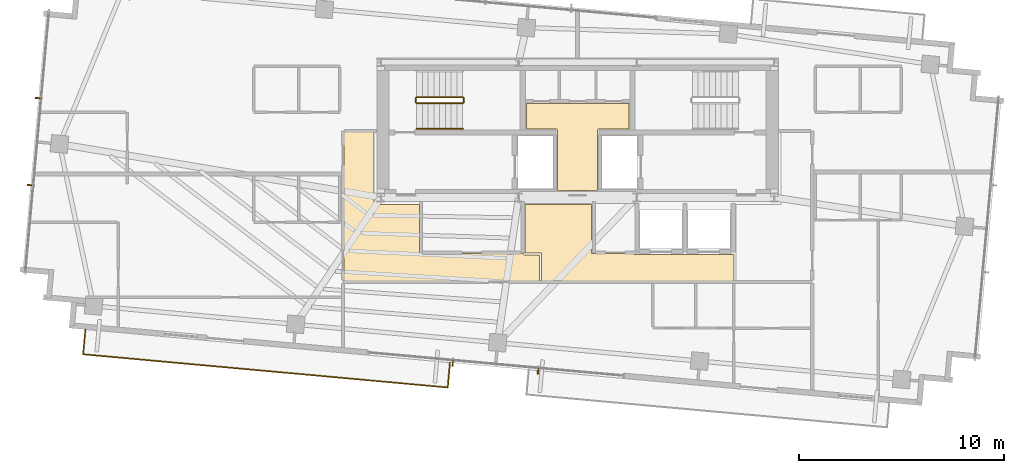
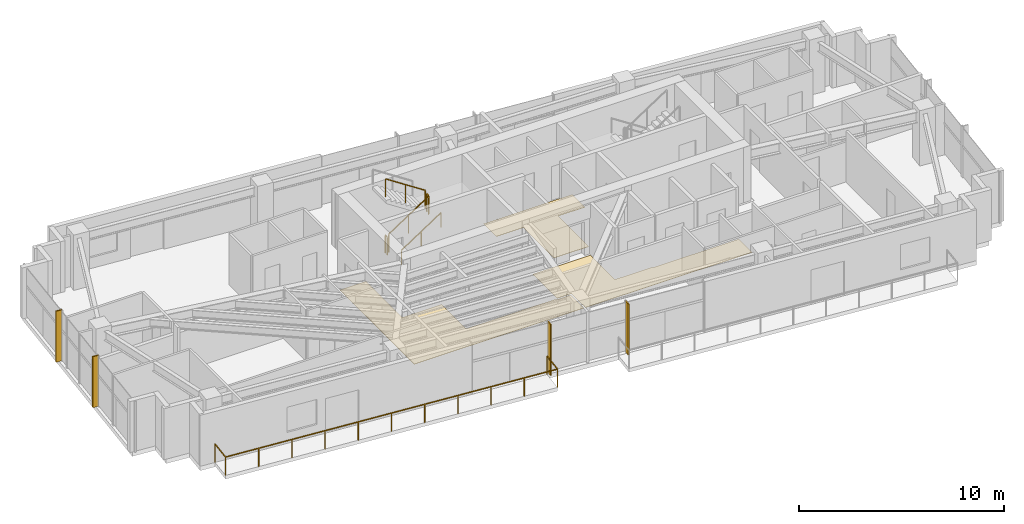
# One storey, part 20 of 22: 6 railings, 4 shading devices, 3 coverings.
"""IFC4 building model written with IfcOpenShell, lengths in metres."""

from ifc_helpers import new_model, si_unit, direction, frame, origin, origin_2d, place, context, subcontext, project, spatial, polyline, rectangle, outline, extrude, source, transform, mapped, material, layer, layer_set, type_object, type_shapes, element, save


model = new_model("IFC4")

# Units and contexts
model_context = context("Model", 3, precision=1e-05, world=origin(), true_north=direction((0.0, 1.0)))
body_context = subcontext(model_context, "Body", "Model", "MODEL_VIEW")
ifc_project = project(units=[si_unit("LENGTHUNIT", "METRE"), si_unit("AREAUNIT", "SQUARE_METRE"), si_unit("VOLUMEUNIT", "CUBIC_METRE"), si_unit("PLANEANGLEUNIT", "RADIAN"), si_unit("MASSUNIT", "GRAM", prefix="KILO")], contexts=[model_context])

# Site, building, storey
site_placement = place(None, origin())
site = spatial("IfcSite", under=ifc_project, at=site_placement, CompositionType="ELEMENT")
building_placement = place(site_placement, origin())
building = spatial("IfcBuilding", under=site, at=building_placement, Name="Astriad Promenade Condominiums", CompositionType="ELEMENT")
storey_placement = place(building_placement, frame((0.0, 0.0, 246.300048828125)))
storey = spatial("IfcBuildingStorey", under=building, at=storey_placement, Name="L71", CompositionType="ELEMENT", Elevation=246.300048828125)

# Coverings
ifc_material_1 = material(Name="Polished Lakefront Terrazzo Flooring")
ifc_layer = layer(ifc_material_1, 0.02001953125)
ifc_layer_set = layer_set([ifc_layer], Name="Polished Lakefront Terrazzo Flooring")
covering_type = type_object("IfcCoveringType", Name="COV-FLOR-TERRAZZO-20", PredefinedType="FLOORING", material=ifc_layer_set)
covering_1_placement = place(storey_placement, origin())
element("IfcCovering", 1, at=covering_1_placement, inside=storey, type_object=covering_type, Name="FLR-L71-CSL", PredefinedType="FLOORING", context=body_context, shape_type="SweptSolid", body=[
    extrude(outline(polyline([(36.97998046875, 20.699951171875), (36.97998046875, 17.739990234375), (35.02001953125, 17.739990234375), (35.02001953125, 20.699951171875), (35.019775390625, 20.703857421875), (35.019287109375, 20.707763671875), (35.018310546875, 20.711669921875), (35.01708984375, 20.71533203125), (35.015380859375, 20.718994140625), (35.01318359375, 20.72216796875), (35.010986328125, 20.725341796875), (35.00830078125, 20.728271484375), (35.00537109375, 20.73095703125), (35.002197265625, 20.7333984375), (34.998779296875, 20.7353515625), (34.995361328125, 20.737060546875), (34.99169921875, 20.73828125), (34.98779296875, 20.7392578125), (34.98388671875, 20.73974609375), (34.97998046875, 20.739990234375), (33.5, 20.739990234375), (33.5, 21.97998046875), (38.5, 21.97998046875), (38.5, 20.739990234375), (37.02001953125, 20.739990234375), (37.01611328125, 20.73974609375), (37.01220703125, 20.7392578125), (37.00830078125, 20.73828125), (37.004638671875, 20.737060546875), (37.001220703125, 20.7353515625), (36.997802734375, 20.7333984375), (36.99462890625, 20.73095703125), (36.99169921875, 20.728271484375), (36.989013671875, 20.725341796875), (36.98681640625, 20.72216796875), (36.984619140625, 20.718994140625), (36.98291015625, 20.71533203125), (36.981689453125, 20.711669921875), (36.980712890625, 20.707763671875), (36.980224609375, 20.703857421875), (36.97998046875, 20.699951171875)])), origin(), (0.0, 0.0, 1.0), 0.02001953125),
])
covering_2_placement = place(storey_placement, origin())
element("IfcCovering", 2, at=covering_2_placement, inside=storey, type_object=covering_type, Name="FLR-L71-LLB", PredefinedType="FLOORING", context=body_context, shape_type="SweptSolid", body=[
    extrude(outline(polyline([(43.639892578125, 14.610107421875), (43.639892578125, 13.320068359375), (34.239990234375, 13.320068359375), (34.239990234375, 14.64990234375), (34.23974609375, 14.65380859375), (34.2392578125, 14.65771484375), (34.23828125, 14.66162109375), (34.237060546875, 14.665283203125), (34.2353515625, 14.6689453125), (34.2333984375, 14.672119140625), (34.23095703125, 14.67529296875), (34.228271484375, 14.67822265625), (34.225341796875, 14.680908203125), (34.22216796875, 14.683349609375), (34.218994140625, 14.685302734375), (34.21533203125, 14.68701171875), (34.211669921875, 14.688232421875), (34.207763671875, 14.689208984375), (34.203857421875, 14.689697265625), (34.199951171875, 14.68994140625), (33.43994140625, 14.68994140625), (33.43994140625, 17.06005859375), (36.679931640625, 17.06005859375), (36.679931640625, 14.699951171875), (36.68017578125, 14.696044921875), (36.680908203125, 14.692138671875), (36.681640625, 14.6884765625), (36.68310546875, 14.684814453125), (36.684814453125, 14.68115234375), (36.686767578125, 14.677734375), (36.689208984375, 14.674560546875), (36.691650390625, 14.671630859375), (36.694580078125, 14.669189453125), (36.69775390625, 14.666748046875), (36.701171875, 14.664794921875), (36.70458984375, 14.6630859375), (36.70849609375, 14.66162109375), (36.712158203125, 14.660888671875), (36.716064453125, 14.66015625), (36.719970703125, 14.659912109375), (38.760009765625, 14.659912109375), (38.760009765625, 14.64990234375), (38.76025390625, 14.64599609375), (38.7607421875, 14.64208984375), (38.76171875, 14.638427734375), (38.762939453125, 14.634765625), (38.7646484375, 14.631103515625), (38.7666015625, 14.627685546875), (38.76904296875, 14.62451171875), (38.771728515625, 14.62158203125), (38.774658203125, 14.619140625), (38.77783203125, 14.61669921875), (38.781005859375, 14.61474609375), (38.78466796875, 14.613037109375), (38.788330078125, 14.61181640625), (38.792236328125, 14.61083984375), (38.796142578125, 14.610107421875), (38.800048828125, 14.610107421875), (43.639892578125, 14.610107421875)])), origin(), (0.0, 0.0, 1.0), 0.02001953125),
])
covering_3_placement = place(storey_placement, origin())
element("IfcCovering", 3, at=covering_3_placement, inside=storey, type_object=covering_type, Name="FLR-L71-COR-1", PredefinedType="FLOORING", context=body_context, shape_type="SweptSolid", body=[
    extrude(outline(polyline([(24.590087890625, 20.610107421875), (26.06005859375, 20.610107421875), (26.06005859375, 17.10009765625), (26.060302734375, 17.09619140625), (26.060791015625, 17.09228515625), (26.061767578125, 17.08837890625), (26.06298828125, 17.084716796875), (26.064697265625, 17.0810546875), (26.066650390625, 17.077880859375), (26.069091796875, 17.07470703125), (26.07177734375, 17.07177734375), (26.07470703125, 17.069091796875), (26.077880859375, 17.066650390625), (26.0810546875, 17.064697265625), (26.084716796875, 17.06298828125), (26.08837890625, 17.061767578125), (26.09228515625, 17.060791015625), (26.09619140625, 17.060302734375), (26.10009765625, 17.06005859375), (28.280029296875, 17.06005859375), (28.280029296875, 14.699951171875), (28.2802734375, 14.696044921875), (28.28076171875, 14.692138671875), (28.28173828125, 14.6884765625), (28.282958984375, 14.684814453125), (28.28466796875, 14.68115234375), (28.28662109375, 14.677734375), (28.2890625, 14.674560546875), (28.291748046875, 14.671630859375), (28.294677734375, 14.669189453125), (28.2978515625, 14.666748046875), (28.301025390625, 14.664794921875), (28.3046875, 14.6630859375), (28.308349609375, 14.66162109375), (28.312255859375, 14.660888671875), (28.316162109375, 14.66015625), (28.320068359375, 14.659912109375), (33.35009765625, 14.659912109375), (33.35009765625, 14.64892578125), (33.35009765625, 14.64501953125), (33.350830078125, 14.64111328125), (33.35107421875, 14.64013671875), (33.351318359375, 14.639404296875), (33.351318359375, 14.638427734375), (33.352294921875, 14.634521484375), (33.353759765625, 14.630859375), (33.3544921875, 14.629150390625), (33.356201171875, 14.6259765625), (33.356689453125, 14.625), (33.35888671875, 14.62158203125), (33.3603515625, 14.61962890625), (33.36083984375, 14.618896484375), (33.361083984375, 14.61865234375), (33.361328125, 14.618408203125), (33.361572265625, 14.617919921875), (33.36328125, 14.615966796875), (33.365966796875, 14.61328125), (33.367919921875, 14.611572265625), (33.368408203125, 14.611328125), (33.36865234375, 14.611083984375), (33.368896484375, 14.61083984375), (33.36962890625, 14.6103515625), (33.37158203125, 14.60888671875), (33.375, 14.606689453125), (33.3759765625, 14.606201171875), (33.379150390625, 14.6044921875), (33.3798828125, 14.604248046875), (33.380859375, 14.603759765625), (33.384521484375, 14.602294921875), (33.388427734375, 14.601318359375), (33.389404296875, 14.601318359375), (33.39013671875, 14.60107421875), (33.39111328125, 14.600830078125), (33.39501953125, 14.60009765625), (33.39892578125, 14.60009765625), (34.14990234375, 14.60009765625), (34.14990234375, 13.320068359375), (24.590087890625, 13.320068359375), (24.590087890625, 20.610107421875)])), origin(), (0.0, 0.0, 1.0), 0.02001953125),
])

# Shading devices
ifc_material_2 = material(Name="Anodised aluminium 6063-T6 Black Fin", Category="aluminium")
shading_device_type = type_object("IfcShadingDeviceType", Name="FIN-BLACK-260", PredefinedType="USERDEFINED", material=ifc_material_2)
shared_shape_1 = source(origin(), body_context, "Body", "SweptSolid", [
    extrude(rectangle(XDim=0.06494140625, YDim=0.320068359375, at=origin_2d()), origin(), (0.0, 0.0, 1.0), 3.0400390625),
])
type_shapes(shading_device_type, [shared_shape_1])
for number, where, z_axis, x_axis, name in (
    (4, (9.293212890625, 17.9970703125, 0.0), (0.0, 0.0, 1.0), (0.090632580198, 0.995884398616, 0.0), "CW-L71-W-FIN-01"),
    (5, (9.6796875, 22.246337890625, 0.0), (0.0, 0.0, 1.0), (0.090632580198, 0.995884398616, 0.0), "CW-L71-W-FIN-02"),
    (6, (34.073974609375, 8.937255859375, 0.0), (0.0, 0.0, 1.0), (-0.995884398616, 0.090632580198, 0.0), "CW-L71-S-FIN-01"),
    (7, (29.9111328125, 9.316162109375, 0.0), (0.0, 0.0, 1.0), (-0.995884398616, 0.090632580198, 0.0), "CW-L71-S-FIN-02"),
):
    element("IfcShadingDevice", number, at=place(storey_placement, frame(where, z_axis=z_axis, x_axis=x_axis)), inside=storey, type_object=shading_device_type, Name=name, ObjectType="FIN", PredefinedType="USERDEFINED", context=body_context, shape_type="MappedRepresentation", body=[
        mapped(shared_shape_1, transform((0.0, 0.0, 0.0), scale=1.0)),
    ])

# Railings
ifc_material_3 = material(Name="Laminated Glass and Stainless Steel Balustrade", Category="steel")
railing_type_1 = type_object("IfcRailingType", Name="GRD-BALC-1120", PredefinedType="BALUSTRADE", material=ifc_material_3)
shared_shape_2 = source(origin(), body_context, "Body", "SweptSolid", [
    extrude(rectangle(XDim=0.048095703125, YDim=0.048095703125, at=origin_2d()), frame((0.0, 0.0, 1.09619140625), z_axis=(-0.09066206129, -0.995881715186, 0.0), x_axis=(0.995881715186, -0.09066206129, 0.0)), (0.0, 0.0, 1.0), 1.219970703125),
    extrude(rectangle(XDim=0.048095703125, YDim=0.048095703125, at=origin_2d()), frame((-0.110595703125, -1.21484375, 1.09619140625), z_axis=(0.995884019767, -0.090636742948, 0.0), x_axis=(0.090636742948, 0.995884019767, 0.0)), (0.0, 0.0, 1.0), 17.8720703125),
    extrude(rectangle(XDim=0.048095703125, YDim=0.048095703125, at=origin_2d()), frame((17.68798828125, -2.834716796875, 1.09619140625), z_axis=(0.090463563939, 0.99589976584, 0.0), x_axis=(-0.99589976584, 0.090463563939, 0.0)), (0.0, 0.0, 1.0), 1.2197265625),
    extrude(rectangle(XDim=0.0419921875, YDim=0.0419921875, at=origin_2d()), origin(), (0.0, 0.0, 1.0), 1.072021484375),
    extrude(rectangle(XDim=0.0419921875, YDim=0.0419921875, at=origin_2d()), frame((-0.110595703125, -1.21484375, 0.0)), (0.0, 0.0, 1.0), 1.072021484375),
    extrude(rectangle(XDim=0.0419921875, YDim=0.0419921875, at=origin_2d()), frame((1.669189453125, -1.376953125, 0.0)), (0.0, 0.0, 1.0), 1.072021484375),
    extrude(rectangle(XDim=0.0419921875, YDim=0.0419921875, at=origin_2d()), frame((3.44921875, -1.538818359375, 0.0)), (0.0, 0.0, 1.0), 1.072021484375),
    extrude(rectangle(XDim=0.0419921875, YDim=0.0419921875, at=origin_2d()), frame((5.22900390625, -1.70068359375, 0.0)), (0.0, 0.0, 1.0), 1.072021484375),
    extrude(rectangle(XDim=0.0419921875, YDim=0.0419921875, at=origin_2d()), frame((7.0087890625, -1.86279296875, 0.0)), (0.0, 0.0, 1.0), 1.072021484375),
    extrude(rectangle(XDim=0.0419921875, YDim=0.0419921875, at=origin_2d()), frame((8.78857421875, -2.02490234375, 0.0)), (0.0, 0.0, 1.0), 1.072021484375),
    extrude(rectangle(XDim=0.0419921875, YDim=0.0419921875, at=origin_2d()), frame((10.568603515625, -2.186767578125, 0.0)), (0.0, 0.0, 1.0), 1.072021484375),
    extrude(rectangle(XDim=0.0419921875, YDim=0.0419921875, at=origin_2d()), frame((12.348388671875, -2.3486328125, 0.0)), (0.0, 0.0, 1.0), 1.072021484375),
    extrude(rectangle(XDim=0.0419921875, YDim=0.0419921875, at=origin_2d()), frame((14.128173828125, -2.5107421875, 0.0)), (0.0, 0.0, 1.0), 1.072021484375),
    extrude(rectangle(XDim=0.0419921875, YDim=0.0419921875, at=origin_2d()), frame((15.908203125, -2.6728515625, 0.0)), (0.0, 0.0, 1.0), 1.072021484375),
    extrude(rectangle(XDim=0.0419921875, YDim=0.0419921875, at=origin_2d()), frame((17.68798828125, -2.834716796875, 0.0)), (0.0, 0.0, 1.0), 1.072021484375),
    extrude(rectangle(XDim=0.0419921875, YDim=0.0419921875, at=origin_2d()), frame((17.79833984375, -1.619873046875, 0.0)), (0.0, 0.0, 1.0), 1.072021484375),
])
type_shapes(railing_type_1, [shared_shape_2])
railing_1_placement = place(storey_placement, frame((11.97705078125, 10.958251953125, 0.0)))
element("IfcRailing", 8, at=railing_1_placement, inside=storey, type_object=railing_type_1, Name="GRD-BALC-L71-SW", PredefinedType="BALUSTRADE", context=body_context, shape_type="MappedRepresentation", body=[
    mapped(shared_shape_2, transform((0.0, 0.0, 0.0), scale=1.0)),
])
ifc_material_4 = material(Name="Painted Galvanised Steel Guardrail", Category="steel")
railing_type_2 = type_object("IfcRailingType", Name="GRD-STAIR-1100", PredefinedType="GUARDRAIL", material=ifc_material_4)
shared_shape_3 = source(origin(), body_context, "Body", "SweptSolid", [
    extrude(rectangle(XDim=0.048095703125, YDim=0.048095703125, at=origin_2d()), frame((0.0, 0.0, 1.076171875), z_axis=(0.0, 1.0, 0.0), x_axis=(-1.0, 0.0, 0.0)), (0.0, 0.0, 1.0), 0.199951171875),
    extrude(rectangle(XDim=0.0419921875, YDim=0.0419921875, at=origin_2d()), origin(), (0.0, 0.0, 1.0), 1.052001953125),
    extrude(rectangle(XDim=0.0419921875, YDim=0.0419921875, at=origin_2d()), frame((0.0, 0.199951171875, 0.0)), (0.0, 0.0, 1.0), 1.052001953125),
])
for number, where, name in (
    (9, (30.43994140625, 22.050048828125, 1.64990234375), "L71 ST-1 stair guard 2"),
    (10, (28.10009765625, 22.050048828125, 0.0), "L71 ST-1 stair guard 4"),
):
    element("IfcRailing", number, at=place(storey_placement, frame(where)), inside=storey, type_object=railing_type_2, Name=name, PredefinedType="GUARDRAIL", context=body_context, shape_type="MappedRepresentation", body=[
        mapped(shared_shape_3, transform((0.0, 0.0, 0.0), scale=1.0)),
    ])
shared_shape_4 = source(origin(), body_context, "Body", "SweptSolid", [
    extrude(rectangle(XDim=0.048095703125, YDim=0.048095703125, at=origin_2d()), frame((0.0, 0.0, 1.076171875), z_axis=(0.836636935527, 0.0, 0.547757827979), x_axis=(0.0, 1.0, 0.0)), (0.0, 0.0, 1.0), 2.677490234375),
    extrude(rectangle(XDim=0.0419921875, YDim=0.0419921875, at=origin_2d()), origin(), (0.0, 0.0, 1.0), 1.052001953125),
    extrude(rectangle(XDim=0.0419921875, YDim=0.0419921875, at=origin_2d()), frame((1.1201171875, 0.0, 0.7333984375)), (0.0, 0.0, 1.0), 1.052001953125),
    extrude(rectangle(XDim=0.0419921875, YDim=0.0419921875, at=origin_2d()), frame((2.239990234375, 0.0, 1.466552734375)), (0.0, 0.0, 1.0), 1.052001953125),
])
railing_2_placement = place(storey_placement, frame((28.14990234375, 22.0, 0.183349609375)))
element("IfcRailing", 11, at=railing_2_placement, inside=storey, type_object=railing_type_2, Name="L71 ST-1 stair guard 1", PredefinedType="GUARDRAIL", context=body_context, shape_type="MappedRepresentation", body=[
    mapped(shared_shape_4, transform((0.0, 0.0, 0.0), scale=1.0)),
])
ifc_material_5 = material(Name="Brushed Stainless Steel Handrail", Category="steel")
railing_type_3 = type_object("IfcRailingType", Name="HRL-STAIR-920", PredefinedType="HANDRAIL", material=ifc_material_5)
shared_shape_5 = source(origin(), body_context, "Body", "SweptSolid", [
    extrude(rectangle(XDim=0.048095703125, YDim=0.048095703125, at=origin_2d()), frame((0.0, 0.0, 0.8759765625), z_axis=(0.836636935527, 0.0, 0.547757827979), x_axis=(0.0, 1.0, 0.0)), (0.0, 0.0, 1.0), 2.677490234375),
    extrude(rectangle(XDim=0.0419921875, YDim=0.0419921875, at=origin_2d()), origin(), (0.0, 0.0, 1.0), 0.851806640625),
    extrude(rectangle(XDim=0.0419921875, YDim=0.0419921875, at=origin_2d()), frame((1.1201171875, 0.0, 0.7333984375)), (0.0, 0.0, 1.0), 0.851806640625),
    extrude(rectangle(XDim=0.0419921875, YDim=0.0419921875, at=origin_2d()), frame((2.239990234375, 0.0, 1.466552734375)), (0.0, 0.0, 1.0), 0.851806640625),
])
type_shapes(railing_type_3, [shared_shape_5])
railing_3_placement = place(storey_placement, frame((28.14990234375, 20.75, 0.183349609375)))
element("IfcRailing", 12, at=railing_3_placement, inside=storey, type_object=railing_type_3, Name="L71 ST-1 stair handrail 1", PredefinedType="HANDRAIL", context=body_context, shape_type="MappedRepresentation", body=[
    mapped(shared_shape_5, transform((0.0, 0.0, 0.0), scale=1.0)),
])
shared_shape_6 = source(origin(), body_context, "Body", "SweptSolid", [
    extrude(rectangle(XDim=0.048095703125, YDim=0.048095703125, at=origin_2d()), frame((0.0, 0.0, 1.076171875), z_axis=(-0.836595146698, 0.0, 0.547821650285), x_axis=(0.0, -1.0, 0.0)), (0.0, 0.0, 1.0), 2.677490234375),
    extrude(rectangle(XDim=0.0419921875, YDim=0.0419921875, at=origin_2d()), origin(), (0.0, 0.0, 1.0), 1.052001953125),
    extrude(rectangle(XDim=0.0419921875, YDim=0.0419921875, at=origin_2d()), frame((-1.1201171875, 0.0, 0.7333984375)), (0.0, 0.0, 1.0), 1.052001953125),
    extrude(rectangle(XDim=0.0419921875, YDim=0.0419921875, at=origin_2d()), frame((-2.239990234375, 0.0, 1.466796875)), (0.0, 0.0, 1.0), 1.052001953125),
])
type_shapes(railing_type_2, [shared_shape_3, shared_shape_4, shared_shape_6])
railing_4_placement = place(storey_placement, frame((30.389892578125, 22.300048828125, 1.833251953125)))
element("IfcRailing", 13, at=railing_4_placement, inside=storey, type_object=railing_type_2, Name="L71 ST-1 stair guard 3", PredefinedType="GUARDRAIL", context=body_context, shape_type="MappedRepresentation", body=[
    mapped(shared_shape_6, transform((0.0, 0.0, 0.0), scale=1.0)),
])

save(model, "model.ifc")
